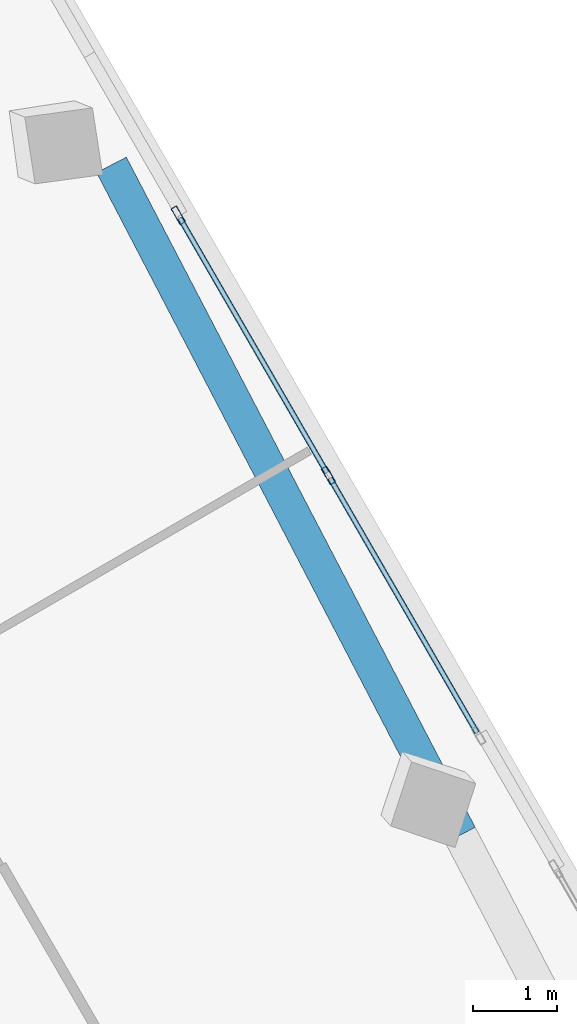
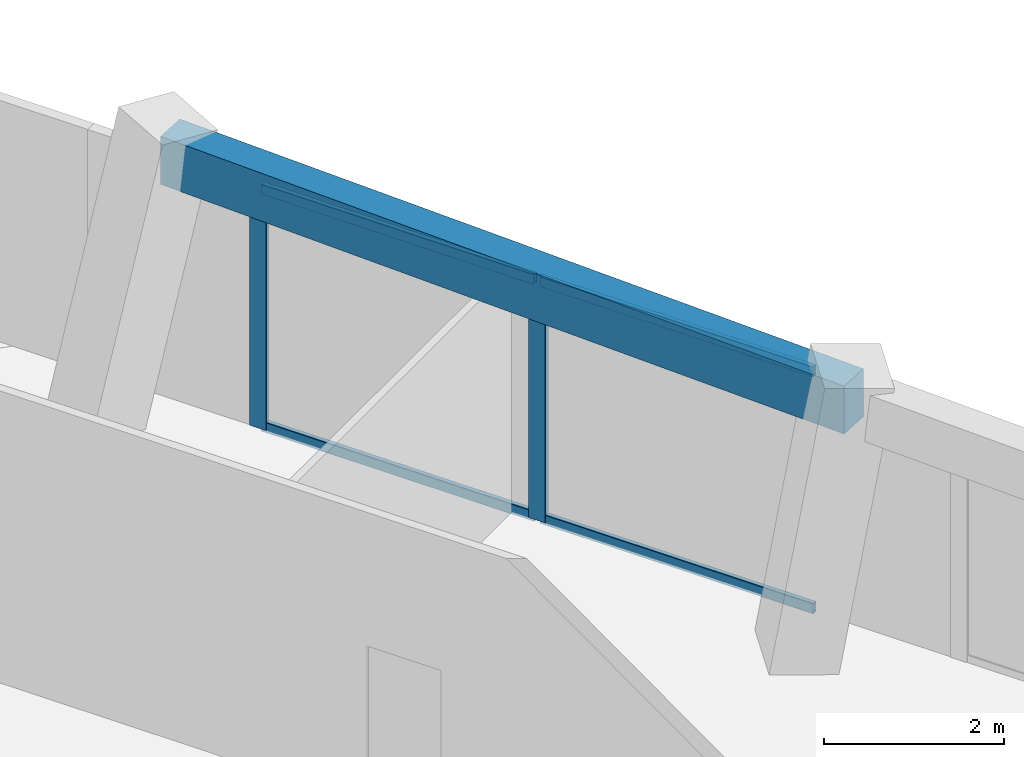
# One storey, part 9 of 15: 6 members, 1 beam, 1 element without a shape of its own.
"""IFC4 building model written with IfcOpenShell, lengths in metres."""

from ifc_helpers import new_model, si_unit, direction, frame, origin, origin_2d, place, context, subcontext, project, spatial, rectangle, hollow_rectangle, extrude, source, transform, mapped, material, material_profile, profile_set, type_object, element, aggregate, save


model = new_model("IFC4")

# Units and contexts
model_context = context("Model", 3, precision=1e-05, world=origin(), true_north=direction((0.0, 1.0)))
body_context = subcontext(model_context, "Body", "Model", "MODEL_VIEW")
ifc_project = project(units=[si_unit("LENGTHUNIT", "METRE"), si_unit("AREAUNIT", "SQUARE_METRE"), si_unit("VOLUMEUNIT", "CUBIC_METRE"), si_unit("PLANEANGLEUNIT", "RADIAN"), si_unit("MASSUNIT", "GRAM", prefix="KILO")], contexts=[model_context])

# Site, building, storey
site_placement = place(None, origin())
site = spatial("IfcSite", under=ifc_project, at=site_placement, CompositionType="ELEMENT")
building_placement = place(site_placement, origin())
building = spatial("IfcBuilding", under=site, at=building_placement, Name="Torre Montelarca", CompositionType="ELEMENT")
storey_placement = place(building_placement, frame((0.0, 0.0, 324.0)))
storey = spatial("IfcBuildingStorey", under=building, at=storey_placement, Name="L73", CompositionType="ELEMENT", Elevation=324.0)

# Beam
ifc_material_1 = material(Name="Concrete C40/50", Category="concrete")
ifc_material_profile_1 = material_profile(ifc_material_1, rectangle(XDim=0.39990234375, YDim=0.64990234375, at=origin_2d()), Name="RCB400X650", Category="concrete")
ifc_profile_set_1 = profile_set([ifc_material_profile_1], Name="Concrete C40/50")
beam_type = type_object("IfcBeamType", Name="BM-SP-RC650-EXT", PredefinedType="SPANDREL", material=ifc_profile_set_1)
shared_shape_1 = source(origin(), body_context, "Body", "SweptSolid", [
    extrude(rectangle(XDim=0.39990234375, YDim=0.64990234375, at=origin_2d()), origin(), (0.0, 0.0, 1.0), 8.999755859375),
])
beam_placement = place(storey_placement, frame((29.16650390625, 50.0830078125, 3.635009765625), z_axis=(0.4617379111, -0.887016404275, 0.0), x_axis=(0.887016404275, 0.4617379111, 0.0)))
element("IfcBeam", 1, at=beam_placement, inside=storey, type_object=beam_type, Name="L73 Grid Girder X 9.0-18.0 at Y=47.1", PredefinedType="SPANDREL", context=body_context, shape_type="MappedRepresentation", body=[
    mapped(shared_shape_1, transform((0.0, 0.0, 0.0), scale=1.0)),
])

# Curtain wall, members
ifc_material_2 = material(Name="Insulated low-E laminated glass", Category="glass")
curtain_wall_type = type_object("IfcCurtainWallType", Name="CW-SYS-Z4", PredefinedType="USERDEFINED", material=ifc_material_2)
curtain_wall_placement = place(storey_placement, origin())
curtain_wall = element("IfcCurtainWall", 2, at=curtain_wall_placement, inside=storey, type_object=curtain_wall_type, Name="L73 Curtain Wall Run CW-T3-L73-E08-B2", ObjectType="UNITISED GLAZING", PredefinedType="USERDEFINED")
ifc_material_3 = material(Name="Anodised aluminium AA 6063-T6", Category="aluminium")
ifc_material_profile_2 = material_profile(ifc_material_3, hollow_rectangle(XDim=0.074951171875, YDim=0.219970703125, WallThickness=0.0048828125, InnerFilletRadius=0.0048828125, OuterFilletRadius=0.010009765625, at=origin_2d()), Name="ALU75X220X5", Category="aluminium")
ifc_profile_set_2 = profile_set([ifc_material_profile_2], Name="Anodised aluminium AA 6063-T6")
member_type_1 = type_object("IfcMemberType", Name="CWM-ALU220", PredefinedType="MULLION", material=ifc_profile_set_2)
shared_shape_2 = source(origin(), body_context, "Body", "SweptSolid", [
    extrude(hollow_rectangle(XDim=0.074951171875, YDim=0.219970703125, WallThickness=0.0048828125, InnerFilletRadius=0.0048828125, OuterFilletRadius=0.010009765625, at=origin_2d()), origin(), (0.0, 0.0, 1.0), 3.27490234375),
])
member_1_placement = place(storey_placement, frame((31.751220703125, 46.38427734375, 0.0), z_axis=(0.0, 0.0, 1.0), x_axis=(-0.866026229865, -0.499998569184, 0.0)))
member_1 = element("IfcMember", 3, at=member_1_placement, type_object=member_type_1, Name="CW mullion 2", PredefinedType="MULLION", context=body_context, shape_type="MappedRepresentation", body=[
    mapped(shared_shape_2, transform((0.0, 0.0, 0.0), scale=1.0)),
])
member_2_placement = place(storey_placement, frame((29.962158203125, 49.483154296875, 0.0), z_axis=(0.0, 0.0, 1.0), x_axis=(-0.866026229865, -0.499998569184, 0.0)))
member_2 = element("IfcMember", 4, at=member_2_placement, type_object=member_type_1, Name="CW mullion 3", PredefinedType="MULLION", context=body_context, shape_type="MappedRepresentation", body=[
    mapped(shared_shape_2, transform((0.0, 0.0, 0.0), scale=1.0)),
])
ifc_material_profile_3 = material_profile(ifc_material_3, hollow_rectangle(XDim=0.06494140625, YDim=0.139892578125, WallThickness=0.00390625, InnerFilletRadius=0.00390625, OuterFilletRadius=0.008056640625, at=origin_2d()), Name="ALU65X140X4", Category="aluminium")
ifc_profile_set_3 = profile_set([ifc_material_profile_3], Name="Anodised aluminium AA 6063-T6")
member_type_2 = type_object("IfcMemberType", Name="CWT-ALU140", PredefinedType="USERDEFINED", material=ifc_profile_set_3)
shared_shape_3 = source(origin(), body_context, "Body", "SweptSolid", [
    extrude(hollow_rectangle(XDim=0.06494140625, YDim=0.139892578125, WallThickness=0.00390625, InnerFilletRadius=0.00390625, OuterFilletRadius=0.008056640625, at=origin_2d()), origin(), (0.0, 0.0, 1.0), 3.503173828125),
])
member_3_placement = place(storey_placement, frame((33.521484375, 43.31787109375, 0.032470703125), z_axis=(-0.49996174997, 0.866047486323, 0.0), x_axis=(-0.866047486323, -0.49996174997, 0.0)))
member_3 = element("IfcMember", 5, at=member_3_placement, type_object=member_type_2, Name="CW transom 1.1", ObjectType="TRANSOM", PredefinedType="USERDEFINED", context=body_context, shape_type="MappedRepresentation", body=[
    mapped(shared_shape_3, transform((0.0, 0.0, 0.0), scale=1.0)),
])
member_4_placement = place(storey_placement, frame((33.521484375, 43.31787109375, 3.242431640625), z_axis=(-0.49996174997, 0.866047486323, 0.0), x_axis=(-0.866047486323, -0.49996174997, 0.0)))
member_4 = element("IfcMember", 6, at=member_4_placement, type_object=member_type_2, Name="CW transom 1.2", ObjectType="TRANSOM", PredefinedType="USERDEFINED", context=body_context, shape_type="MappedRepresentation", body=[
    mapped(shared_shape_3, transform((0.0, 0.0, 0.0), scale=1.0)),
])
member_5_placement = place(storey_placement, frame((31.732421875, 46.416748046875, 0.032470703125), z_axis=(-0.49996174997, 0.866047486323, 0.0), x_axis=(-0.866047486323, -0.49996174997, 0.0)))
member_5 = element("IfcMember", 7, at=member_5_placement, type_object=member_type_2, Name="CW transom 2.1", ObjectType="TRANSOM", PredefinedType="USERDEFINED", context=body_context, shape_type="MappedRepresentation", body=[
    mapped(shared_shape_3, transform((0.0, 0.0, 0.0), scale=1.0)),
])
member_6_placement = place(storey_placement, frame((31.732421875, 46.416748046875, 3.242431640625), z_axis=(-0.49996174997, 0.866047486323, 0.0), x_axis=(-0.866047486323, -0.49996174997, 0.0)))
member_6 = element("IfcMember", 8, at=member_6_placement, type_object=member_type_2, Name="CW transom 2.2", ObjectType="TRANSOM", PredefinedType="USERDEFINED", context=body_context, shape_type="MappedRepresentation", body=[
    mapped(shared_shape_3, transform((0.0, 0.0, 0.0), scale=1.0)),
])
aggregate(curtain_wall, [member_1, member_2, member_3, member_4, member_5, member_6])

save(model, "model.ifc")
